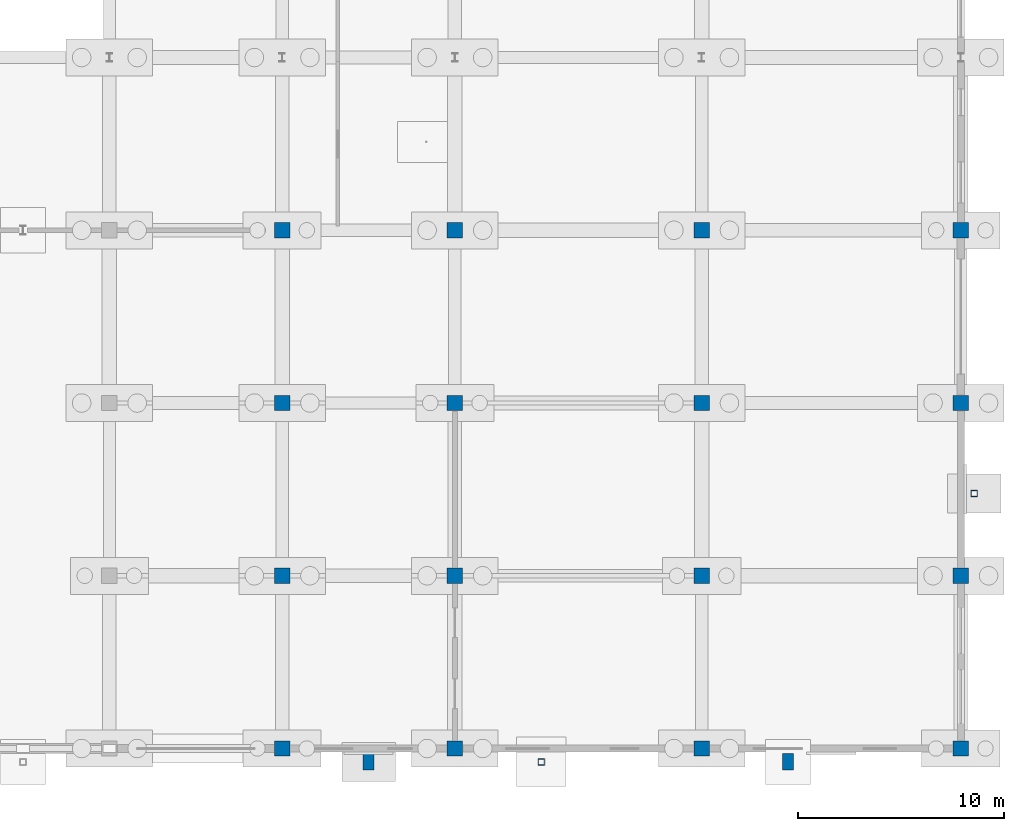
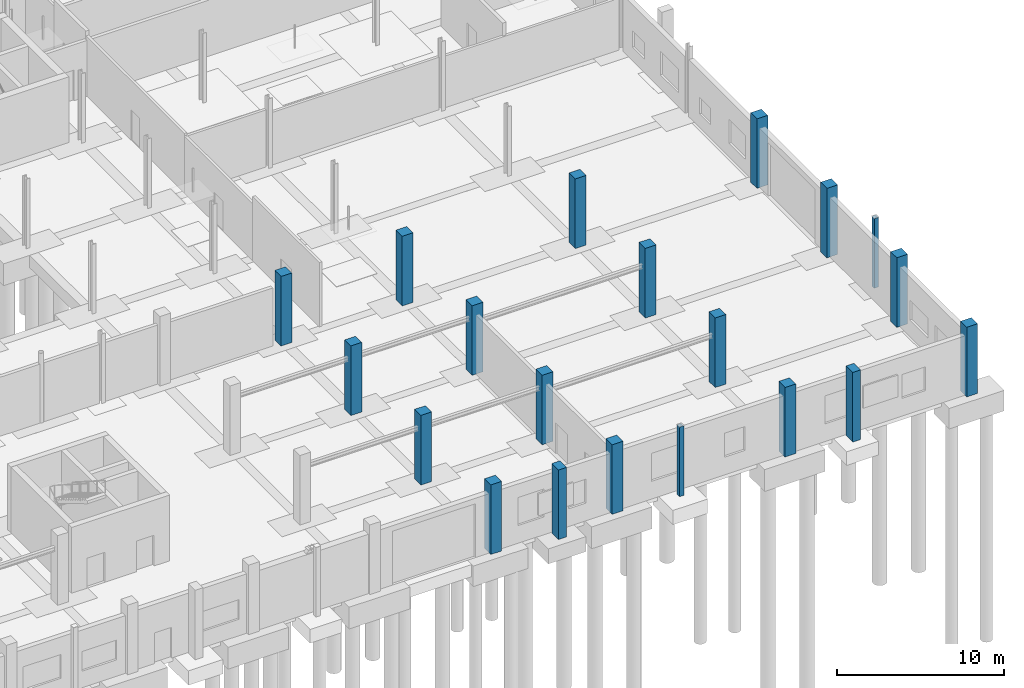
# One storey, part 25 of 119: 20 columns.
"""IFC4 building model written with IfcOpenShell, lengths in metres."""

from ifc_helpers import new_model, si_unit, derived_unit, direction, frame, origin, origin_2d, place, context, subcontext, project, spatial, rectangle, hollow_rectangle, extrude, material, material_profile, profile_set, type_object, element, save


model = new_model("IFC4")

# Units and contexts
model_context = context("Model", 3, precision=1e-05, world=origin(), true_north=direction((0.0, 1.0)))
body_context = subcontext(model_context, "Body", "Model", "MODEL_VIEW")
ifc_project = project(units=[si_unit("LENGTHUNIT", "METRE"), si_unit("AREAUNIT", "SQUARE_METRE"), si_unit("VOLUMEUNIT", "CUBIC_METRE"), si_unit("PLANEANGLEUNIT", "RADIAN"), si_unit("MASSUNIT", "GRAM", prefix="KILO"), derived_unit("THERMALTRANSMITTANCEUNIT", [(si_unit("MASSUNIT", "GRAM", prefix="KILO"), 1), (si_unit("TIMEUNIT", "SECOND"), -3), (si_unit("THERMODYNAMICTEMPERATUREUNIT", "KELVIN"), -1)])], contexts=[model_context])

# Site, building, storey
site_placement = place(None, origin())
site = spatial("IfcSite", under=ifc_project, at=site_placement, CompositionType="ELEMENT")
building_placement = place(site_placement, origin())
building = spatial("IfcBuilding", under=site, at=building_placement, Name="Makaiwela Harbour Ferry Terminal", CompositionType="ELEMENT")
storey_placement = place(building_placement, origin())
storey = spatial("IfcBuildingStorey", under=building, at=storey_placement, Name="L00", CompositionType="ELEMENT", Elevation=0.0)

# Columns
ifc_material_1 = material(Name="Concrete f'c 45 MPa (6500 psi)", Category="concrete")
ifc_material_profile_1 = material_profile(ifc_material_1, rectangle(XDim=0.75, YDim=0.75, at=origin_2d()), Name="RC-750X750")
ifc_profile_set_1 = profile_set([ifc_material_profile_1], Name="Concrete f'c 45 MPa (6500 psi)")
column_type_1 = type_object("IfcColumnType", Name="STR-COL-RC750", PredefinedType="COLUMN", material=ifc_profile_set_1)
for number, where, z_axis, x_axis, name in (
    (1, (147.0, 0.0, 0.0), (0.0, 0.0, 1.0), (1.0, 0.0, 0.0), "Structural Column C-08"),
    (2, (147.0, 8.39990234375, 0.0), (0.0, 0.0, 1.0), (1.0, 0.0, 0.0), "Structural Column C-08"),
    (3, (147.0, 16.800048828125, 0.0), (0.0, 0.0, 1.0), (1.0, 0.0, 0.0), "Structural Column C-08"),
    (4, (147.0, 25.199951171875, 0.0), (0.0, 0.0, 1.0), (1.0, 0.0, 0.0), "Structural Column C-08"),
    (5, (155.39990234375, 0.0, 0.0), (0.0, 0.0, 1.0), (1.0, 0.0, 0.0), "Structural Column C-08"),
    (6, (155.39990234375, 8.39990234375, 0.0), (0.0, 0.0, 1.0), (1.0, 0.0, 0.0), "Structural Column C-08"),
    (7, (155.39990234375, 16.800048828125, 0.0), (0.0, 0.0, 1.0), (1.0, 0.0, 0.0), "Structural Column C-08"),
    (8, (155.39990234375, 25.199951171875, 0.0), (0.0, 0.0, 1.0), (1.0, 0.0, 0.0), "Structural Column C-08"),
    (9, (167.39990234375, 0.0, 0.0), (0.0, 0.0, 1.0), (1.0, 0.0, 0.0), "Structural Column C-08"),
    (10, (167.39990234375, 8.39990234375, 0.0), (0.0, 0.0, 1.0), (1.0, 0.0, 0.0), "Structural Column C-08"),
    (11, (167.39990234375, 16.800048828125, 0.0), (0.0, 0.0, 1.0), (1.0, 0.0, 0.0), "Structural Column C-08"),
    (12, (167.39990234375, 25.199951171875, 0.0), (0.0, 0.0, 1.0), (1.0, 0.0, 0.0), "Structural Column C-08"),
    (13, (180.0, 0.0, 0.0), (0.0, 0.0, 1.0), (1.0, 0.0, 0.0), "Structural Column C-08"),
    (14, (180.0, 8.39990234375, 0.0), (0.0, 0.0, 1.0), (1.0, 0.0, 0.0), "Structural Column C-08"),
    (15, (180.0, 16.800048828125, 0.0), (0.0, 0.0, 1.0), (1.0, 0.0, 0.0), "Structural Column C-08"),
    (16, (180.0, 25.199951171875, 0.0), (0.0, 0.0, 1.0), (1.0, 0.0, 0.0), "Structural Column C-08"),
):
    element("IfcColumn", number, at=place(storey_placement, frame(where, z_axis=z_axis, x_axis=x_axis)), inside=storey, type_object=column_type_1, Name=name, PredefinedType="COLUMN", context=body_context, shape_type="SweptSolid", body=[
        extrude(rectangle(XDim=0.75, YDim=0.75, at=origin_2d()), origin(), (0.0, 0.0, 1.0), 5.10009765625),
    ])
ifc_material_2 = material(Name="Steel ASTM A500 Grade C", Category="steel")
ifc_material_profile_2 = material_profile(ifc_material_2, hollow_rectangle(XDim=0.304931640625, YDim=0.304931640625, WallThickness=0.0146484375, at=origin_2d()), Name="HSS12X12X5/8")
ifc_profile_set_2 = profile_set([ifc_material_profile_2], Name="Steel ASTM A500 Grade C")
column_type_2 = type_object("IfcColumnType", Name="STR-PIL-HSS12", PredefinedType="PILASTER", material=ifc_profile_set_2)
for number, where, z_axis, x_axis, name in (
    (17, (159.60009765625, -0.64990234375, 0.0), (0.0, 0.0, 1.0), (1.0, 0.0, 0.0), "Structural Column PL-02"),
    (18, (180.64990234375, 12.39990234375, 0.0), (0.0, 0.0, 1.0), (0.0, 1.0, 0.0), "Structural Column PL-02"),
):
    element("IfcColumn", number, at=place(storey_placement, frame(where, z_axis=z_axis, x_axis=x_axis)), inside=storey, type_object=column_type_2, Name=name, PredefinedType="PILASTER", context=body_context, shape_type="SweptSolid", body=[
        extrude(hollow_rectangle(XDim=0.304931640625, YDim=0.304931640625, WallThickness=0.0146484375, at=origin_2d()), origin(), (0.0, 0.0, 1.0), 5.10009765625),
    ])
ifc_material_profile_3 = material_profile(ifc_material_1, rectangle(XDim=0.550048828125, YDim=0.800048828125, at=origin_2d()), Name="RC-800X550")
ifc_profile_set_3 = profile_set([ifc_material_profile_3], Name="Concrete f'c 45 MPa (6500 psi)")
column_type_3 = type_object("IfcColumnType", Name="STR-PIL-RC800", PredefinedType="PILASTER", material=ifc_profile_set_3)
for number, where, z_axis, x_axis, name in (
    (19, (151.199951171875, -0.64990234375, 0.0), (0.0, 0.0, 1.0), (1.0, 0.0, 0.0), "Structural Column PL-01"),
    (20, (171.60009765625, -0.64990234375, 0.0), (0.0, 0.0, 1.0), (1.0, 0.0, 0.0), "Structural Column PL-01"),
):
    element("IfcColumn", number, at=place(storey_placement, frame(where, z_axis=z_axis, x_axis=x_axis)), inside=storey, type_object=column_type_3, Name=name, PredefinedType="PILASTER", context=body_context, shape_type="SweptSolid", body=[
        extrude(rectangle(XDim=0.550048828125, YDim=0.800048828125, at=origin_2d()), origin(), (0.0, 0.0, 1.0), 5.10009765625),
    ])

save(model, "model.ifc")
